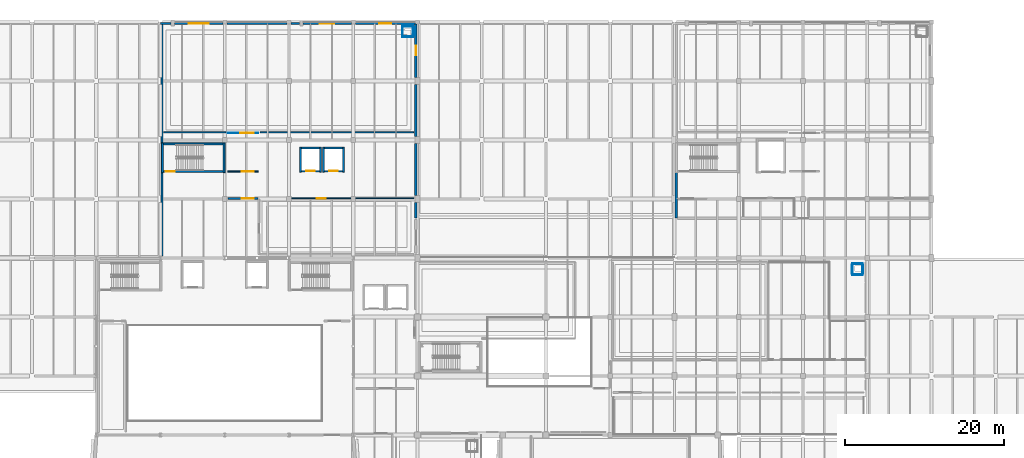
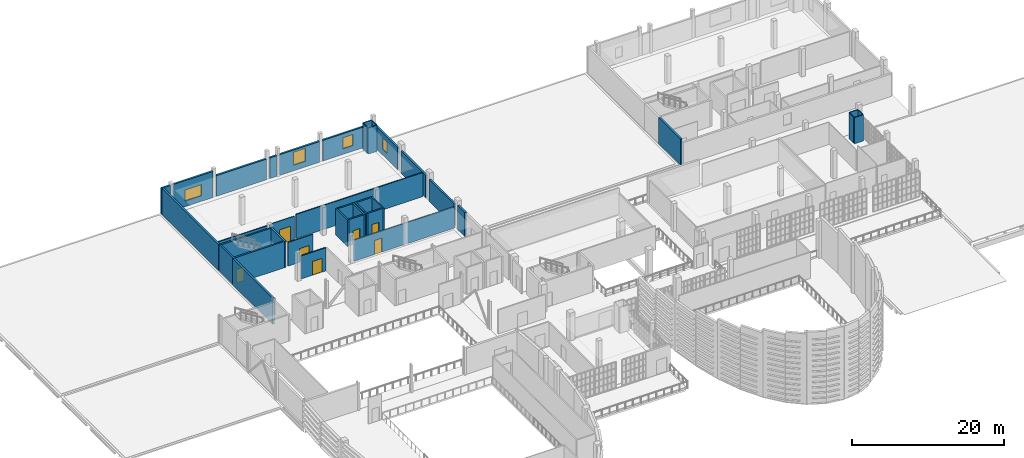
# One storey, part 62 of 73: 39 walls, 7 doors, 4 windows, 11 openings.
"""IFC4 building model written with IfcOpenShell, lengths in metres."""

from ifc_helpers import new_model, si_unit, direction, frame, frame_2d, origin, place, context, subcontext, project, spatial, rectangle, extrude, material, layer, layer_set, type_object, element, fill, save


model = new_model("IFC4")

# Units and contexts
model_context = context("Model", 3, precision=1e-05, world=origin(), true_north=direction((0.0, 1.0)))
body_context = subcontext(model_context, "Body", "Model", "MODEL_VIEW")
ifc_project = project(units=[si_unit("LENGTHUNIT", "METRE"), si_unit("AREAUNIT", "SQUARE_METRE"), si_unit("VOLUMEUNIT", "CUBIC_METRE"), si_unit("PLANEANGLEUNIT", "RADIAN"), si_unit("MASSUNIT", "GRAM", prefix="KILO")], contexts=[model_context])

# Site, building, storey
site_placement = place(None, origin())
site = spatial("IfcSite", under=ifc_project, at=site_placement, CompositionType="ELEMENT")
building_placement = place(site_placement, origin())
building = spatial("IfcBuilding", under=site, at=building_placement, Name="Kaelora Sail Theatre", CompositionType="ELEMENT")
storey_placement = place(building_placement, frame((0.0, 0.0, 10.199951171875)))
storey = spatial("IfcBuildingStorey", under=building, at=storey_placement, Name="L02", CompositionType="ELEMENT", Elevation=10.199951171875)

# Wall, opening, door
ifc_material_1 = material(Name="Concrete C40/50", Category="concrete")
ifc_layer_1 = layer(ifc_material_1, 0.25)
ifc_layer_set_1 = layer_set([ifc_layer_1], Name="Concrete C40/50")
wall_type_1 = type_object("IfcWallType", Name="ARC-WL-CW-250", PredefinedType="SHEAR", material=ifc_layer_set_1)
wall_1_placement = place(storey_placement, frame((34.2548828125, 94.22509765625, 0.0), z_axis=(0.0, 0.0, 1.0), x_axis=(1.0, 0.0, 0.0)))
wall_1 = element("IfcWall", 1, at=wall_1_placement, inside=storey, type_object=wall_type_1, Name="Stair shaft ST-K2 wall L02-S", PredefinedType="SHEAR", context=body_context, shape_type="SweptSolid", body=[
    extrude(rectangle(XDim=7.5400390625, YDim=0.25, at=frame_2d((3.77001953125, 0.0))), origin(), (0.0, 0.0, 1.0), 4.22509765625),
])
opening_1_placement = place(wall_1_placement, frame((0.320068359375, 0.0, 0.0)))
opening_1 = element("IfcOpeningElement", 2, at=opening_1_placement, cuts=wall_1, Name="Opening FD-02", PredefinedType="OPENING", context=body_context, shape_type="SweptSolid", body=[
    extrude(rectangle(XDim=1.10009765625, YDim=2.199951171875, at=frame_2d((0.550048828125, 1.10009765625))), frame((0.0, 0.135, 0.0), z_axis=(0.0, -1.0, 0.0), x_axis=(1.0, 0.0, 0.0)), (0.0, 0.0, 1.0), 0.27),
])
ifc_material_2 = material(Name="Acoustic steel single stair/lobby fire door EI 90-C", Category="steel")
door_type_1 = type_object("IfcDoorType", Name="ARC-DR-FD-02", OperationType="NOTDEFINED", PredefinedType="DOOR", material=ifc_material_2)
door_1_placement = place(opening_1_placement, origin())
door_1 = element("IfcDoor", 3, at=door_1_placement, inside=storey, type_object=door_type_1, Name="Stair ST-K2 door (L02)", OperationType="SINGLE_SWING_LEFT", OverallHeight=2.199951171875, OverallWidth=1.10009765625, PredefinedType="DOOR", context=body_context, shape_type="SweptSolid", body=[
    extrude(rectangle(XDim=1.10009765625, YDim=2.199951171875, at=frame_2d((0.550048828125, 1.10009765625))), frame((0.0, 0.02490234375, 0.0), z_axis=(0.0, -1.0, 0.0), x_axis=(1.0, 0.0, 0.0)), (0.0, 0.0, 1.0), 0.050048828125),
])
fill(opening_1, door_1)

# Walls
wall_2_placement = place(storey_placement, frame((34.2548828125, 97.72509765625, 0.0), z_axis=(0.0, 0.0, 1.0), x_axis=(1.0, 0.0, 0.0)))
element("IfcWall", 4, at=wall_2_placement, inside=storey, type_object=wall_type_1, Name="Stair shaft ST-K2 wall L02-N", PredefinedType="SHEAR", context=body_context, shape_type="SweptSolid", body=[
    extrude(rectangle(XDim=7.5400390625, YDim=0.25, at=frame_2d((3.77001953125, 0.0))), origin(), (0.0, 0.0, 1.0), 4.22509765625),
])
for number, where, z_axis, x_axis, name in (
    (5, (34.125, 94.10009765625, 0.0), (0.0, 0.0, 1.0), (0.0, 1.0, 0.0), "Stair shaft ST-K2 wall L02-W"),
    (6, (41.925048828125, 94.10009765625, 0.0), (0.0, 0.0, 1.0), (0.0, 1.0, 0.0), "Stair shaft ST-K2 wall L02-E"),
):
    element("IfcWall", number, at=place(storey_placement, frame(where, z_axis=z_axis, x_axis=x_axis)), inside=storey, type_object=wall_type_1, Name=name, PredefinedType="SHEAR", context=body_context, shape_type="SweptSolid", body=[
        extrude(rectangle(XDim=3.75, YDim=0.25, at=frame_2d((1.875, 0.0))), origin(), (0.0, 0.0, 1.0), 4.22509765625),
    ])

# Wall, opening, window
ifc_material_3 = material(Name="Precast concrete C45/55", Category="concrete")
ifc_layer_2 = layer(ifc_material_3, 0.280029296875)
ifc_layer_set_2 = layer_set([ifc_layer_2], Name="Precast concrete C45/55")
wall_type_2 = type_object("IfcWallType", Name="ARC-WL-EW-280", PredefinedType="SOLIDWALL", material=ifc_layer_set_2)
wall_3_placement = place(storey_placement, frame((35.679931640625, 112.919921875, 0.0), z_axis=(0.0, 0.0, 1.0), x_axis=(1.0, 0.0, 0.0)))
wall_3 = element("IfcWall", 7, at=wall_3_placement, inside=storey, type_object=wall_type_2, Name="North Conservatory/Production Facade Wall L02 B05", PredefinedType="SOLIDWALL", context=body_context, shape_type="SweptSolid", body=[
    extrude(rectangle(XDim=6.065185546875, YDim=0.280029296875, at=frame_2d((3.03271484375, 0.0))), origin(), (0.0, 0.0, 1.0), 4.205078125),
])
opening_2_placement = place(wall_3_placement, frame((1.781982421875, 0.0, 0.89990234375)))
opening_2 = element("IfcOpeningElement", 8, at=opening_2_placement, cuts=wall_3, Name="Opening W-25", PredefinedType="OPENING", context=body_context, shape_type="SweptSolid", body=[
    extrude(rectangle(XDim=2.5, YDim=1.800048828125, at=frame_2d((1.25, 0.89990234375))), frame((0.0, 0.150137, 0.0), z_axis=(0.0, -1.0, 0.0), x_axis=(1.0, 0.0, 0.0)), (0.0, 0.0, 1.0), 0.300029),
])
ifc_material_4 = material(Name="Thermally broken aluminium and low-E double glazing", Category="aluminium")
window_type_1 = type_object("IfcWindowType", Name="ARC-WIN-W-25", PartitioningType="SINGLE_PANEL", PredefinedType="WINDOW", material=ifc_material_4)
window_1_placement = place(opening_2_placement, origin())
window_1 = element("IfcWindow", 9, at=window_1_placement, inside=storey, type_object=window_type_1, Name="North facade window L02 B05", OverallHeight=1.800048828125, OverallWidth=2.5, PartitioningType="SINGLE_PANEL", PredefinedType="WINDOW", context=body_context, shape_type="SweptSolid", body=[
    extrude(rectangle(XDim=2.5, YDim=1.800048828125, at=frame_2d((1.25, 0.89990234375))), frame((0.0, 0.030029296875, 0.0), z_axis=(0.0, -1.0, 0.0), x_axis=(1.0, 0.0, 0.0)), (0.0, 0.0, 1.0), 0.06005859375),
])
fill(opening_2, window_1)

# Walls
wall_4_placement = place(storey_placement, frame((33.89990234375, 112.919921875, 0.0), z_axis=(0.0, 0.0, 1.0), x_axis=(1.0, 0.0, 0.0)))
element("IfcWall", 10, at=wall_4_placement, inside=storey, type_object=wall_type_2, Name="North Facade Pilaster Spandrel Pier L02 B05", PredefinedType="SOLIDWALL", context=body_context, shape_type="SweptSolid", body=[
    extrude(rectangle(XDim=1.320068359375, YDim=0.280029296875, at=frame_2d((0.66015625, 0.0))), origin(), (0.0, 0.0, 1.0), 4.205078125),
])
wall_5_placement = place(storey_placement, frame((42.2548828125, 112.919921875, 0.0), z_axis=(0.0, 0.0, 1.0), x_axis=(1.0, 0.0, 0.0)))
element("IfcWall", 11, at=wall_5_placement, inside=storey, type_object=wall_type_2, Name="North Conservatory/Production Facade Wall L02 B06", PredefinedType="SOLIDWALL", context=body_context, shape_type="SweptSolid", body=[
    extrude(rectangle(XDim=7.590087890625, YDim=0.280029296875, at=frame_2d((3.794921875, 0.0))), origin(), (0.0, 0.0, 1.0), 3.35693359375),
])

# Wall, opening, window
wall_6_placement = place(storey_placement, frame((51.85498046875, 112.919921875, 0.0), z_axis=(0.0, 0.0, 1.0), x_axis=(1.0, 0.0, 0.0)))
wall_6 = element("IfcWall", 12, at=wall_6_placement, inside=storey, type_object=wall_type_2, Name="North Conservatory/Production Facade Wall L02 B07", PredefinedType="SOLIDWALL", context=body_context, shape_type="SweptSolid", body=[
    extrude(rectangle(XDim=6.090087890625, YDim=0.280029296875, at=frame_2d((3.044921875, 0.0))), origin(), (0.0, 0.0, 1.0), 3.35693359375),
])
opening_3_placement = place(wall_6_placement, frame((2.14501953125, 0.0, 0.89990234375)))
opening_3 = element("IfcOpeningElement", 13, at=opening_3_placement, cuts=wall_6, Name="Opening W-01", PredefinedType="OPENING", context=body_context, shape_type="SweptSolid", body=[
    extrude(rectangle(XDim=1.800048828125, YDim=2.10009765625, at=frame_2d((0.89990234375, 1.050048828125))), frame((0.0, 0.150137, 0.0), z_axis=(0.0, -1.0, 0.0), x_axis=(1.0, 0.0, 0.0)), (0.0, 0.0, 1.0), 0.300029),
])
ifc_material_5 = material(Name="Thermally broken aluminium and low-E double glazing", Category="aluminium")
window_type_2 = type_object("IfcWindowType", Name="ARC-WIN-W-01", PartitioningType="SINGLE_PANEL", PredefinedType="WINDOW", material=ifc_material_5)
window_2_placement = place(opening_3_placement, origin())
window_2 = element("IfcWindow", 14, at=window_2_placement, inside=storey, type_object=window_type_2, Name="North facade window L02 B07", OverallHeight=2.10009765625, OverallWidth=1.800048828125, PartitioningType="SINGLE_PANEL", PredefinedType="WINDOW", context=body_context, shape_type="SweptSolid", body=[
    extrude(rectangle(XDim=1.800048828125, YDim=2.10009765625, at=frame_2d((0.89990234375, 1.050048828125))), frame((0.0, 0.030029296875, 0.0), z_axis=(0.0, -1.0, 0.0), x_axis=(1.0, 0.0, 0.0)), (0.0, 0.0, 1.0), 0.06005859375),
])
fill(opening_3, window_2)

# Wall
wall_7_placement = place(storey_placement, frame((50.35498046875, 112.919921875, 0.0), z_axis=(0.0, 0.0, 1.0), x_axis=(1.0, 0.0, 0.0)))
element("IfcWall", 15, at=wall_7_placement, inside=storey, type_object=wall_type_2, Name="North Facade Pilaster Spandrel Pier L02 B07", PredefinedType="SOLIDWALL", context=body_context, shape_type="SweptSolid", body=[
    extrude(rectangle(XDim=1.090087890625, YDim=0.280029296875, at=frame_2d((0.544921875, 0.0))), origin(), (0.0, 0.0, 1.0), 3.35693359375),
])

# Wall, opening, window
wall_8_placement = place(storey_placement, frame((58.455078125, 112.919921875, 0.0), z_axis=(0.0, 0.0, 1.0), x_axis=(1.0, 0.0, 0.0)))
wall_8 = element("IfcWall", 16, at=wall_8_placement, inside=storey, type_object=wall_type_2, Name="North Conservatory/Production Facade Wall L02 B08", PredefinedType="SOLIDWALL", context=body_context, shape_type="SweptSolid", body=[
    extrude(rectangle(XDim=7.58984375, YDim=0.280029296875, at=frame_2d((3.794921875, 0.0))), origin(), (0.0, 0.0, 1.0), 3.35693359375),
])
opening_4_placement = place(wall_8_placement, frame((3.044921875, 0.0, 0.89990234375)))
opening_4 = element("IfcOpeningElement", 17, at=opening_4_placement, cuts=wall_8, Name="Opening W-04", PredefinedType="OPENING", context=body_context, shape_type="SweptSolid", body=[
    extrude(rectangle(XDim=1.5, YDim=1.800048828125, at=frame_2d((0.75, 0.89990234375))), frame((0.0, 0.150137, 0.0), z_axis=(0.0, -1.0, 0.0), x_axis=(1.0, 0.0, 0.0)), (0.0, 0.0, 1.0), 0.300029),
])
ifc_material_6 = material(Name="Thermally broken aluminium and low-E double glazing", Category="aluminium")
window_type_3 = type_object("IfcWindowType", Name="ARC-WIN-W-04", PartitioningType="SINGLE_PANEL", PredefinedType="WINDOW", material=ifc_material_6)
window_3_placement = place(opening_4_placement, origin())
window_3 = element("IfcWindow", 18, at=window_3_placement, inside=storey, type_object=window_type_3, Name="North facade window L02 B08", OverallHeight=1.800048828125, OverallWidth=1.5, PartitioningType="SINGLE_PANEL", PredefinedType="WINDOW", context=body_context, shape_type="SweptSolid", body=[
    extrude(rectangle(XDim=1.5, YDim=1.800048828125, at=frame_2d((0.75, 0.89990234375))), frame((0.0, 0.030029296875, 0.0), z_axis=(0.0, -1.0, 0.0), x_axis=(1.0, 0.0, 0.0)), (0.0, 0.0, 1.0), 0.06005859375),
])
fill(opening_4, window_3)

# Walls
wall_9_placement = place(storey_placement, frame((34.080078125, 83.60009765625, 0.0), z_axis=(0.0, 0.0, 1.0), x_axis=(0.0, 1.0, 0.0)))
element("IfcWall", 19, at=wall_9_placement, inside=storey, type_object=wall_type_2, Name="Stepped Wing Facade Wall STEP-NW2-WS-L02", PredefinedType="SOLIDWALL", context=body_context, shape_type="SweptSolid", body=[
    extrude(rectangle(XDim=10.599853515625, YDim=0.280029296875, at=frame_2d((5.2998046875, 0.0))), origin(), (0.0, 0.0, 1.0), 4.205078125),
])
wall_10_placement = place(storey_placement, frame((34.080078125, 97.89990234375, 0.0), z_axis=(0.0, 0.0, 1.0), x_axis=(0.0, 1.0, 0.0)))
element("IfcWall", 20, at=wall_10_placement, inside=storey, type_object=wall_type_2, Name="Stepped Wing Facade Wall STEP-NW2-WN-L02", PredefinedType="SOLIDWALL", context=body_context, shape_type="SweptSolid", body=[
    extrude(rectangle(XDim=15.050048828125, YDim=0.280029296875, at=frame_2d((7.52490234375, 0.0))), origin(), (0.0, 0.0, 1.0), 4.205078125),
])
wall_11_placement = place(storey_placement, frame((66.090087890625, 88.39990234375, 0.0), z_axis=(0.0, 0.0, 1.0), x_axis=(0.0, 1.0, 0.0)))
element("IfcWall", 21, at=wall_11_placement, inside=storey, type_object=wall_type_2, Name="Stepped Wing Facade Wall STEP-NW2-E-L02-S1", PredefinedType="SOLIDWALL", context=body_context, shape_type="SweptSolid", body=[
    extrude(rectangle(XDim=1.925048828125, YDim=0.280029296875, at=frame_2d((0.96240234375, 0.0))), origin(), (0.0, 0.0, 1.0), 3.89697265625),
])
wall_12_placement = place(storey_placement, frame((66.090087890625, 91.235107421875, 0.0), z_axis=(0.0, 0.0, 1.0), x_axis=(0.0, 1.0, 0.0)))
element("IfcWall", 22, at=wall_12_placement, inside=storey, type_object=wall_type_2, Name="Stepped Wing Facade Wall STEP-NW2-E-L02-S2", PredefinedType="SOLIDWALL", context=body_context, shape_type="SweptSolid", body=[
    extrude(rectangle(XDim=6.52978515625, YDim=0.280029296875, at=frame_2d((3.264892578125, 0.0))), origin(), (0.0, 0.0, 1.0), 3.55712890625),
])
wall_13_placement = place(storey_placement, frame((66.090087890625, 98.675048828125, 0.0), z_axis=(0.0, 0.0, 1.0), x_axis=(0.0, 1.0, 0.0)))
element("IfcWall", 23, at=wall_13_placement, inside=storey, type_object=wall_type_2, Name="Stepped Wing Facade Wall STEP-NW2-E-L02-S3", PredefinedType="SOLIDWALL", context=body_context, shape_type="SweptSolid", body=[
    extrude(rectangle(XDim=6.530029296875, YDim=0.280029296875, at=frame_2d((3.26513671875, 0.0))), origin(), (0.0, 0.0, 1.0), 3.60693359375),
])

# Wall, opening, window
wall_14_placement = place(storey_placement, frame((66.090087890625, 106.114990234375, 0.0), z_axis=(0.0, 0.0, 1.0), x_axis=(0.0, 1.0, 0.0)))
wall_14 = element("IfcWall", 24, at=wall_14_placement, inside=storey, type_object=wall_type_2, Name="Stepped Wing Facade Wall STEP-NW2-E-L02-S4", PredefinedType="SOLIDWALL", context=body_context, shape_type="SweptSolid", body=[
    extrude(rectangle(XDim=6.72998046875, YDim=0.280029296875, at=frame_2d((3.364990234375, 0.0))), origin(), (0.0, 0.0, 1.0), 3.55712890625),
])
opening_5_placement = place(wall_14_placement, frame((2.764892578125, 0.0, 0.949951171875)))
opening_5 = element("IfcOpeningElement", 25, at=opening_5_placement, cuts=wall_14, Name="Opening W-05", PredefinedType="OPENING", context=body_context, shape_type="SweptSolid", body=[
    extrude(rectangle(XDim=1.199951171875, YDim=1.800048828125, at=frame_2d((0.60009765625, 0.89990234375))), frame((0.0, 0.150137, 0.0), z_axis=(0.0, -1.0, 0.0), x_axis=(1.0, 0.0, 0.0)), (0.0, 0.0, 1.0), 0.300029),
])
ifc_material_7 = material(Name="Thermally broken aluminium and low-E double glazing", Category="aluminium")
window_type_4 = type_object("IfcWindowType", Name="ARC-WIN-W-05", PartitioningType="SINGLE_PANEL", PredefinedType="WINDOW", material=ifc_material_7)
window_4_placement = place(opening_5_placement, origin())
window_4 = element("IfcWindow", 26, at=window_4_placement, inside=storey, type_object=window_type_4, Name="Stepped Wing Window STEP-NW2-E-L02-S4", OverallHeight=1.800048828125, OverallWidth=1.199951171875, PartitioningType="SINGLE_PANEL", PredefinedType="WINDOW", context=body_context, shape_type="SweptSolid", body=[
    extrude(rectangle(XDim=1.199951171875, YDim=1.800048828125, at=frame_2d((0.60009765625, 0.89990234375))), frame((0.0, 0.030029296875, 0.0), z_axis=(0.0, -1.0, 0.0), x_axis=(1.0, 0.0, 0.0)), (0.0, 0.0, 1.0), 0.06005859375),
])
fill(opening_5, window_4)

# Wall
wall_15_placement = place(storey_placement, frame((98.909912109375, 88.39990234375, 0.0), z_axis=(0.0, 0.0, 1.0), x_axis=(0.0, 1.0, 0.0)))
element("IfcWall", 27, at=wall_15_placement, inside=storey, type_object=wall_type_2, Name="Stepped Wing Facade Wall STEP-NW4-WS-L02", PredefinedType="SOLIDWALL", context=body_context, shape_type="SweptSolid", body=[
    extrude(rectangle(XDim=5.800048828125, YDim=0.280029296875, at=frame_2d((2.89990234375, 0.0))), origin(), (0.0, 0.0, 1.0), 4.205078125),
])

# Wall, opening, door
ifc_material_8 = material(Name="Sanitary moisture-resistant partition 100 mm", Category="gypsum")
ifc_layer_3 = layer(ifc_material_8, 0.10009765625)
ifc_layer_set_3 = layer_set([ifc_layer_3], Name="Sanitary moisture-resistant partition 100 mm")
wall_type_3 = type_object("IfcWallType", Name="ARC-WL-PT-100", PredefinedType="PARTITIONING", material=ifc_layer_set_3)
wall_16_placement = place(storey_placement, frame((42.39990234375, 99.10009765625, 0.0), z_axis=(0.0, 0.0, 1.0), x_axis=(1.0, 0.0, 0.0)))
wall_16 = element("IfcWall", 28, at=wall_16_placement, inside=storey, type_object=wall_type_3, Name="Interior acoustic partition L02-COR-SP2/L02-REH-MAIN", PredefinedType="PARTITIONING", context=body_context, shape_type="SweptSolid", body=[
    extrude(rectangle(XDim=3.800048828125, YDim=0.10009765625, at=frame_2d((1.89990234375, 0.0))), origin(), (0.0, 0.0, 1.0), 3.757080078125),
])
opening_6_placement = place(wall_16_placement, frame((1.52001953125, 0.0, 0.0)))
opening_6 = element("IfcOpeningElement", 29, at=opening_6_placement, cuts=wall_16, Name="Opening ID-09", PredefinedType="OPENING", context=body_context, shape_type="SweptSolid", body=[
    extrude(rectangle(XDim=1.699951171875, YDim=2.35009765625, at=frame_2d((0.85009765625, 1.175048828125))), frame((0.0, 0.060049, 0.0), z_axis=(0.0, -1.0, 0.0), x_axis=(1.0, 0.0, 0.0)), (0.0, 0.0, 1.0), 0.120098),
])
ifc_material_9 = material(Name="Ballet studio acoustic double door", Category="steel")
door_type_2 = type_object("IfcDoorType", Name="ARC-DR-ID-09", OperationType="NOTDEFINED", PredefinedType="DOOR", material=ifc_material_9)
door_2_placement = place(opening_6_placement, origin())
door_2 = element("IfcDoor", 30, at=door_2_placement, inside=storey, type_object=door_type_2, Name="Interior door L02-COR-SP2 to L02-REH-MAIN", OperationType="DOUBLE_DOOR_SINGLE_SWING", OverallHeight=2.35009765625, OverallWidth=1.699951171875, PredefinedType="DOOR", context=body_context, shape_type="SweptSolid", body=[
    extrude(rectangle(XDim=1.699951171875, YDim=2.35009765625, at=frame_2d((0.85009765625, 1.175048828125))), frame((0.0, 0.02490234375, 0.0), z_axis=(0.0, -1.0, 0.0), x_axis=(1.0, 0.0, 0.0)), (0.0, 0.0, 1.0), 0.050048828125),
])
fill(opening_6, door_2)

# Walls
ifc_material_10 = material(Name="Standard metal-stud partition 120 mm", Category="gypsum")
ifc_layer_4 = layer(ifc_material_10, 0.1201171875)
ifc_layer_set_4 = layer_set([ifc_layer_4], Name="Standard metal-stud partition 120 mm")
wall_type_4 = type_object("IfcWallType", Name="ARC-WL-PT-120", PredefinedType="PARTITIONING", material=ifc_layer_set_4)
for number, where, z_axis, x_axis, name in (
    (31, (64.405029296875, 111.219970703125, 0.0), (0.0, 0.0, 1.0), (1.0, 0.0, 0.0), "MEP riser shaft wall NW2-L02-S"),
    (32, (64.405029296875, 112.580078125, 0.0), (0.0, 0.0, 1.0), (1.0, 0.0, 0.0), "MEP riser shaft wall NW2-L02-N"),
):
    element("IfcWall", number, at=place(storey_placement, frame(where, z_axis=z_axis, x_axis=x_axis)), inside=storey, type_object=wall_type_4, Name=name, PredefinedType="PARTITIONING", context=body_context, shape_type="SweptSolid", body=[
        extrude(rectangle(XDim=1.35986328125, YDim=0.1201171875, at=frame_2d((0.679931640625, 0.0))), origin(), (0.0, 0.0, 1.0), 4.205078125),
    ])
for number, where, z_axis, x_axis, name in (
    (33, (64.405029296875, 111.340087890625, 0.0), (0.0, 0.0, 1.0), (0.0, 1.0, 0.0), "MEP riser shaft wall NW2-L02-W"),
    (34, (65.764892578125, 111.340087890625, 0.0), (0.0, 0.0, 1.0), (0.0, 1.0, 0.0), "MEP riser shaft wall NW2-L02-E"),
):
    element("IfcWall", number, at=place(storey_placement, frame(where, z_axis=z_axis, x_axis=x_axis)), inside=storey, type_object=wall_type_4, Name=name, PredefinedType="PARTITIONING", context=body_context, shape_type="SweptSolid", body=[
        extrude(rectangle(XDim=1.119873046875, YDim=0.1201171875, at=frame_2d((0.56005859375, 0.0))), origin(), (0.0, 0.0, 1.0), 4.205078125),
    ])
for number, where, z_axis, x_axis, name in (
    (35, (121.10498046875, 81.2451171875, 0.0), (0.0, 0.0, 1.0), (1.0, 0.0, 0.0), "MEP riser shaft wall FC2-L02-S"),
    (36, (121.10498046875, 82.60498046875, 0.0), (0.0, 0.0, 1.0), (1.0, 0.0, 0.0), "MEP riser shaft wall FC2-L02-N"),
):
    element("IfcWall", number, at=place(storey_placement, frame(where, z_axis=z_axis, x_axis=x_axis)), inside=storey, type_object=wall_type_4, Name=name, PredefinedType="PARTITIONING", context=body_context, shape_type="SweptSolid", body=[
        extrude(rectangle(XDim=1.360107421875, YDim=0.1201171875, at=frame_2d((0.68017578125, 0.0))), origin(), (0.0, 0.0, 1.0), 4.205078125),
    ])
for number, where, z_axis, x_axis, name in (
    (37, (121.10498046875, 81.364990234375, 0.0), (0.0, 0.0, 1.0), (0.0, 1.0, 0.0), "MEP riser shaft wall FC2-L02-W"),
    (38, (122.465087890625, 81.364990234375, 0.0), (0.0, 0.0, 1.0), (0.0, 1.0, 0.0), "MEP riser shaft wall FC2-L02-E"),
):
    element("IfcWall", number, at=place(storey_placement, frame(where, z_axis=z_axis, x_axis=x_axis)), inside=storey, type_object=wall_type_4, Name=name, PredefinedType="PARTITIONING", context=body_context, shape_type="SweptSolid", body=[
        extrude(rectangle(XDim=1.1201171875, YDim=0.1201171875, at=frame_2d((0.56005859375, 0.0))), origin(), (0.0, 0.0, 1.0), 4.205078125),
    ])

# Wall, opening, door
ifc_material_11 = material(Name="Fire-rated stud partition 140 mm", Category="gypsum")
ifc_layer_5 = layer(ifc_material_11, 0.139892578125)
ifc_layer_set_5 = layer_set([ifc_layer_5], Name="Fire-rated stud partition 140 mm")
wall_type_5 = type_object("IfcWallType", Name="ARC-WL-PT-140", PredefinedType="PARTITIONING", material=ifc_layer_set_5)
wall_17_placement = place(storey_placement, frame((50.405029296875, 90.85009765625, 0.0), z_axis=(0.0, 0.0, 1.0), x_axis=(1.0, 0.0, 0.0)))
wall_17 = element("IfcWall", 39, at=wall_17_placement, inside=storey, type_object=wall_type_5, Name="Interior acoustic partition L02-COR-NW2/L02-DRAMA-S", PredefinedType="PARTITIONING", context=body_context, shape_type="SweptSolid", body=[
    extrude(rectangle(XDim=15.39501953125, YDim=0.139892578125, at=frame_2d((7.697509765625, 0.0))), origin(), (0.0, 0.0, 1.0), 3.406982421875),
])
opening_7_placement = place(wall_17_placement, frame((3.156982421875, 0.0, 0.0)))
opening_7 = element("IfcOpeningElement", 40, at=opening_7_placement, cuts=wall_17, Name="Opening ID-07", PredefinedType="OPENING", context=body_context, shape_type="SweptSolid", body=[
    extrude(rectangle(XDim=1.14990234375, YDim=2.25, at=frame_2d((0.574951171875, 1.125))), frame((0.0, 0.079824, 0.0), z_axis=(0.0, -1.0, 0.0), x_axis=(1.0, 0.0, 0.0)), (0.0, 0.0, 1.0), 0.159893),
])
ifc_material_12 = material(Name="Chorus ensemble wide single door", Category="steel")
door_type_3 = type_object("IfcDoorType", Name="ARC-DR-ID-07", OperationType="NOTDEFINED", PredefinedType="DOOR", material=ifc_material_12)
door_3_placement = place(opening_7_placement, origin())
door_3 = element("IfcDoor", 41, at=door_3_placement, inside=storey, type_object=door_type_3, Name="Interior door L02-COR-NW2 to L02-DRAMA-S", OperationType="SINGLE_SWING_RIGHT", OverallHeight=2.25, OverallWidth=1.14990234375, PredefinedType="DOOR", context=body_context, shape_type="SweptSolid", body=[
    extrude(rectangle(XDim=1.14990234375, YDim=2.25, at=frame_2d((0.574951171875, 1.125))), frame((0.0, 0.02490234375, 0.0), z_axis=(0.0, -1.0, 0.0), x_axis=(1.0, 0.0, 0.0)), (0.0, 0.0, 1.0), 0.050048828125),
])
fill(opening_7, door_3)

ifc_material_13 = material(Name="Acoustic metal-stud plasterboard 160 mm", Category="gypsum")
ifc_layer_6 = layer(ifc_material_13, 0.159912109375)
ifc_layer_set_6 = layer_set([ifc_layer_6], Name="Acoustic metal-stud plasterboard 160 mm")
wall_type_6 = type_object("IfcWallType", Name="ARC-WL-PT-160", PredefinedType="PARTITIONING", material=ifc_layer_set_6)
wall_18_placement = place(storey_placement, frame((42.39990234375, 94.25, 0.0), z_axis=(0.0, 0.0, 1.0), x_axis=(1.0, 0.0, 0.0)))
wall_18 = element("IfcWall", 42, at=wall_18_placement, inside=storey, type_object=wall_type_6, Name="Interior acoustic partition L02-COR-NW2/L02-COR-SP2", PredefinedType="PARTITIONING", context=body_context, shape_type="SweptSolid", body=[
    extrude(rectangle(XDim=3.800048828125, YDim=0.159912109375, at=frame_2d((1.89990234375, 0.0))), origin(), (0.0, 0.0, 1.0), 3.80712890625),
])
opening_8_placement = place(wall_18_placement, frame((1.719970703125, 0.0, 0.0)))
opening_8 = element("IfcOpeningElement", 43, at=opening_8_placement, cuts=wall_18, Name="Opening FD-01", PredefinedType="OPENING", context=body_context, shape_type="SweptSolid", body=[
    extrude(rectangle(XDim=1.5, YDim=2.199951171875, at=frame_2d((0.75, 1.10009765625))), frame((0.0, 0.090078, 0.0), z_axis=(0.0, -1.0, 0.0), x_axis=(1.0, 0.0, 0.0)), (0.0, 0.0, 1.0), 0.179912),
])
ifc_material_14 = material(Name="Acoustic steel double fire door EI 90-C", Category="steel")
door_type_4 = type_object("IfcDoorType", Name="ARC-DR-FD-01", OperationType="NOTDEFINED", PredefinedType="DOOR", material=ifc_material_14)
door_4_placement = place(opening_8_placement, origin())
door_4 = element("IfcDoor", 44, at=door_4_placement, inside=storey, type_object=door_type_4, Name="Interior door L02-COR-NW2 to L02-COR-SP2", OperationType="DOUBLE_DOOR_SINGLE_SWING", OverallHeight=2.199951171875, OverallWidth=1.5, PredefinedType="DOOR", context=body_context, shape_type="SweptSolid", body=[
    extrude(rectangle(XDim=1.5, YDim=2.199951171875, at=frame_2d((0.75, 1.10009765625))), frame((0.0, 0.02490234375, 0.0), z_axis=(0.0, -1.0, 0.0), x_axis=(1.0, 0.0, 0.0)), (0.0, 0.0, 1.0), 0.050048828125),
])
fill(opening_8, door_4)

# Walls
wall_19_placement = place(storey_placement, frame((34.300048828125, 99.199951171875, 0.0), z_axis=(0.0, 0.0, 1.0), x_axis=(1.0, 0.0, 0.0)))
element("IfcWall", 45, at=wall_19_placement, inside=storey, type_object=wall_type_6, Name="Room enclosure wall L02-REH-MAIN-S1", PredefinedType="PARTITIONING", context=body_context, shape_type="SweptSolid", body=[
    extrude(rectangle(XDim=7.849853515625, YDim=0.159912109375, at=frame_2d((3.9248046875, 0.0))), origin(), (0.0, 0.0, 1.0), 3.60693359375),
])
wall_20_placement = place(storey_placement, frame((46.449951171875, 99.199951171875, 0.0), z_axis=(0.0, 0.0, 1.0), x_axis=(1.0, 0.0, 0.0)))
element("IfcWall", 46, at=wall_20_placement, inside=storey, type_object=wall_type_6, Name="Room enclosure wall L02-REH-MAIN-S2", PredefinedType="PARTITIONING", context=body_context, shape_type="SweptSolid", body=[
    extrude(rectangle(XDim=19.35009765625, YDim=0.159912109375, at=frame_2d((9.675048828125, 0.0))), origin(), (0.0, 0.0, 1.0), 3.876953125),
])

# Wall, opening, door
ifc_material_15 = material(Name="Studio box-in-box acoustic partition 215 mm", Category="gypsum")
ifc_layer_7 = layer(ifc_material_15, 0.215087890625)
ifc_layer_set_7 = layer_set([ifc_layer_7], Name="Studio box-in-box acoustic partition 215 mm")
wall_type_7 = type_object("IfcWallType", Name="ARC-WL-PT-215", PredefinedType="PARTITIONING", material=ifc_layer_set_7)
wall_21_placement = place(storey_placement, frame((42.39990234375, 90.85009765625, 0.0), z_axis=(0.0, 0.0, 1.0), x_axis=(1.0, 0.0, 0.0)))
wall_21 = element("IfcWall", 47, at=wall_21_placement, inside=storey, type_object=wall_type_7, Name="Interior acoustic partition L02-COR-NLINKW/L02-COR-NW2", PredefinedType="PARTITIONING", context=body_context, shape_type="SweptSolid", body=[
    extrude(rectangle(XDim=3.800048828125, YDim=0.215087890625, at=frame_2d((1.89990234375, 0.0))), origin(), (0.0, 0.0, 1.0), 3.70703125),
])
opening_9_placement = place(wall_21_placement, frame((1.719970703125, 0.0, 0.0)))
opening_9 = element("IfcOpeningElement", 48, at=opening_9_placement, cuts=wall_21, Name="Opening FD-01", PredefinedType="OPENING", context=body_context, shape_type="SweptSolid", body=[
    extrude(rectangle(XDim=1.5, YDim=2.199951171875, at=frame_2d((0.75, 1.10009765625))), frame((0.0, 0.117422, 0.0), z_axis=(0.0, -1.0, 0.0), x_axis=(1.0, 0.0, 0.0)), (0.0, 0.0, 1.0), 0.235088),
])
door_5_placement = place(opening_9_placement, origin())
door_5 = element("IfcDoor", 49, at=door_5_placement, inside=storey, type_object=door_type_4, Name="Interior door L02-COR-NLINKW to L02-COR-NW2", OperationType="DOUBLE_DOOR_SINGLE_SWING", OverallHeight=2.199951171875, OverallWidth=1.5, PredefinedType="DOOR", context=body_context, shape_type="SweptSolid", body=[
    extrude(rectangle(XDim=1.5, YDim=2.199951171875, at=frame_2d((0.75, 1.10009765625))), frame((0.0, 0.02490234375, 0.0), z_axis=(0.0, -1.0, 0.0), x_axis=(1.0, 0.0, 0.0)), (0.0, 0.0, 1.0), 0.050048828125),
])
fill(opening_9, door_5)

ifc_material_16 = material(Name="Concrete C40/50", Category="concrete")
ifc_layer_8 = layer(ifc_material_16, 0.219970703125)
ifc_layer_set_8 = layer_set([ifc_layer_8], Name="Concrete C40/50")
wall_type_8 = type_object("IfcWallType", Name="ARC-WL-SW-220", PredefinedType="SOLIDWALL", material=ifc_layer_set_8)
wall_22_placement = place(storey_placement, frame((51.64990234375, 94.2900390625, 0.0), z_axis=(0.0, 0.0, 1.0), x_axis=(1.0, 0.0, 0.0)))
wall_22 = element("IfcWall", 50, at=wall_22_placement, inside=storey, type_object=wall_type_8, Name="Lift PL-03 shaft wall L02-S", PredefinedType="SOLIDWALL", context=body_context, shape_type="SweptSolid", body=[
    extrude(rectangle(XDim=2.300048828125, YDim=0.219970703125, at=frame_2d((1.14990234375, 0.0))), origin(), (0.0, 0.0, 1.0), 4.22509765625),
])
opening_10_placement = place(wall_22_placement, frame((0.60009765625, 0.0, 0.0)))
opening_10 = element("IfcOpeningElement", 51, at=opening_10_placement, cuts=wall_22, Name="Opening LD-PAX", PredefinedType="OPENING", context=body_context, shape_type="SweptSolid", body=[
    extrude(rectangle(XDim=1.10009765625, YDim=2.199951171875, at=frame_2d((0.550048828125, 1.10009765625))), frame((0.0, 0.119863, 0.0), z_axis=(0.0, -1.0, 0.0), x_axis=(1.0, 0.0, 0.0)), (0.0, 0.0, 1.0), 0.239971),
])
ifc_material_17 = material(Name="Brushed bronze passenger lift landing door EI 90", Category="steel")
door_type_5 = type_object("IfcDoorType", Name="ARC-DR-LD-PAX", OperationType="NOTDEFINED", PredefinedType="DOOR", material=ifc_material_17)
door_6_placement = place(opening_10_placement, origin())
door_6 = element("IfcDoor", 52, at=door_6_placement, inside=storey, type_object=door_type_5, Name="Lift PL-03 sliding landing door (L02)", OperationType="SLIDING_TO_LEFT", OverallHeight=2.199951171875, OverallWidth=1.10009765625, PredefinedType="DOOR", context=body_context, shape_type="SweptSolid", body=[
    extrude(rectangle(XDim=1.10009765625, YDim=2.199951171875, at=frame_2d((0.550048828125, 1.10009765625))), frame((0.0, 0.02490234375, 0.0), z_axis=(0.0, -1.0, 0.0), x_axis=(1.0, 0.0, 0.0)), (0.0, 0.0, 1.0), 0.050048828125),
])
fill(opening_10, door_6)

# Walls
wall_23_placement = place(storey_placement, frame((51.64990234375, 97.2099609375, 0.0), z_axis=(0.0, 0.0, 1.0), x_axis=(1.0, 0.0, 0.0)))
element("IfcWall", 53, at=wall_23_placement, inside=storey, type_object=wall_type_8, Name="Lift PL-03 shaft wall L02-N", PredefinedType="SOLIDWALL", context=body_context, shape_type="SweptSolid", body=[
    extrude(rectangle(XDim=2.300048828125, YDim=0.219970703125, at=frame_2d((1.14990234375, 0.0))), origin(), (0.0, 0.0, 1.0), 4.22509765625),
])
for number, where, z_axis, x_axis, name in (
    (54, (51.5400390625, 94.179931640625, 0.0), (0.0, 0.0, 1.0), (0.0, 1.0, 0.0), "Lift PL-03 shaft wall L02-W"),
    (55, (54.06005859375, 94.179931640625, 0.0), (0.0, 0.0, 1.0), (0.0, 1.0, 0.0), "Lift PL-03 shaft wall L02-E"),
):
    element("IfcWall", number, at=place(storey_placement, frame(where, z_axis=z_axis, x_axis=x_axis)), inside=storey, type_object=wall_type_8, Name=name, PredefinedType="SOLIDWALL", context=body_context, shape_type="SweptSolid", body=[
        extrude(rectangle(XDim=3.14013671875, YDim=0.219970703125, at=frame_2d((1.570068359375, 0.0))), origin(), (0.0, 0.0, 1.0), 4.22509765625),
    ])

# Wall, opening, door
wall_24_placement = place(storey_placement, frame((54.550048828125, 94.2900390625, 0.0), z_axis=(0.0, 0.0, 1.0), x_axis=(1.0, 0.0, 0.0)))
wall_24 = element("IfcWall", 56, at=wall_24_placement, inside=storey, type_object=wall_type_8, Name="Lift PL-04 shaft wall L02-S", PredefinedType="SOLIDWALL", context=body_context, shape_type="SweptSolid", body=[
    extrude(rectangle(XDim=2.300048828125, YDim=0.219970703125, at=frame_2d((1.14990234375, 0.0))), origin(), (0.0, 0.0, 1.0), 4.22509765625),
])
opening_11_placement = place(wall_24_placement, frame((0.60009765625, 0.0, 0.0)))
opening_11 = element("IfcOpeningElement", 57, at=opening_11_placement, cuts=wall_24, Name="Opening LD-PAX", PredefinedType="OPENING", context=body_context, shape_type="SweptSolid", body=[
    extrude(rectangle(XDim=1.10009765625, YDim=2.199951171875, at=frame_2d((0.550048828125, 1.10009765625))), frame((0.0, 0.119863, 0.0), z_axis=(0.0, -1.0, 0.0), x_axis=(1.0, 0.0, 0.0)), (0.0, 0.0, 1.0), 0.239971),
])
door_7_placement = place(opening_11_placement, origin())
door_7 = element("IfcDoor", 58, at=door_7_placement, inside=storey, type_object=door_type_5, Name="Lift PL-04 sliding landing door (L02)", OperationType="SLIDING_TO_LEFT", OverallHeight=2.199951171875, OverallWidth=1.10009765625, PredefinedType="DOOR", context=body_context, shape_type="SweptSolid", body=[
    extrude(rectangle(XDim=1.10009765625, YDim=2.199951171875, at=frame_2d((0.550048828125, 1.10009765625))), frame((0.0, 0.02490234375, 0.0), z_axis=(0.0, -1.0, 0.0), x_axis=(1.0, 0.0, 0.0)), (0.0, 0.0, 1.0), 0.050048828125),
])
fill(opening_11, door_7)

# Walls
wall_25_placement = place(storey_placement, frame((54.550048828125, 97.2099609375, 0.0), z_axis=(0.0, 0.0, 1.0), x_axis=(1.0, 0.0, 0.0)))
element("IfcWall", 59, at=wall_25_placement, inside=storey, type_object=wall_type_8, Name="Lift PL-04 shaft wall L02-N", PredefinedType="SOLIDWALL", context=body_context, shape_type="SweptSolid", body=[
    extrude(rectangle(XDim=2.300048828125, YDim=0.219970703125, at=frame_2d((1.14990234375, 0.0))), origin(), (0.0, 0.0, 1.0), 4.22509765625),
])
for number, where, z_axis, x_axis, name in (
    (60, (54.43994140625, 94.179931640625, 0.0), (0.0, 0.0, 1.0), (0.0, 1.0, 0.0), "Lift PL-04 shaft wall L02-W"),
    (61, (56.9599609375, 94.179931640625, 0.0), (0.0, 0.0, 1.0), (0.0, 1.0, 0.0), "Lift PL-04 shaft wall L02-E"),
):
    element("IfcWall", number, at=place(storey_placement, frame(where, z_axis=z_axis, x_axis=x_axis)), inside=storey, type_object=wall_type_8, Name=name, PredefinedType="SOLIDWALL", context=body_context, shape_type="SweptSolid", body=[
        extrude(rectangle(XDim=3.14013671875, YDim=0.219970703125, at=frame_2d((1.570068359375, 0.0))), origin(), (0.0, 0.0, 1.0), 4.22509765625),
    ])

save(model, "model.ifc")
